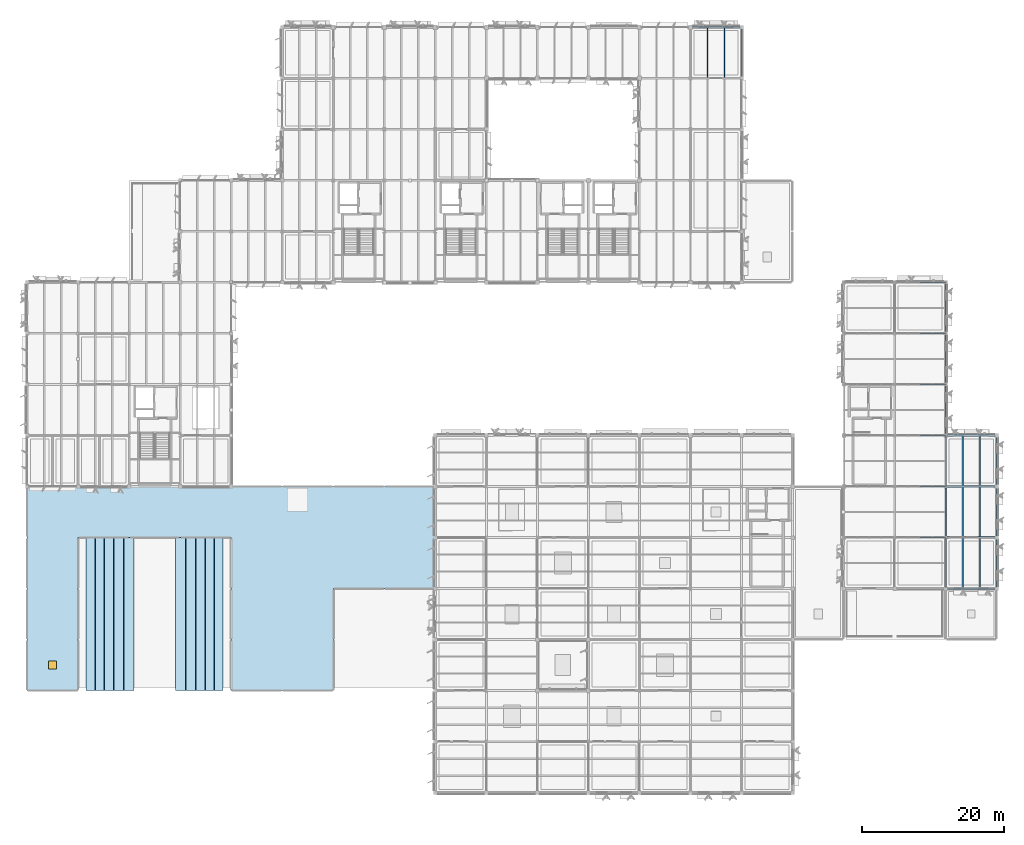
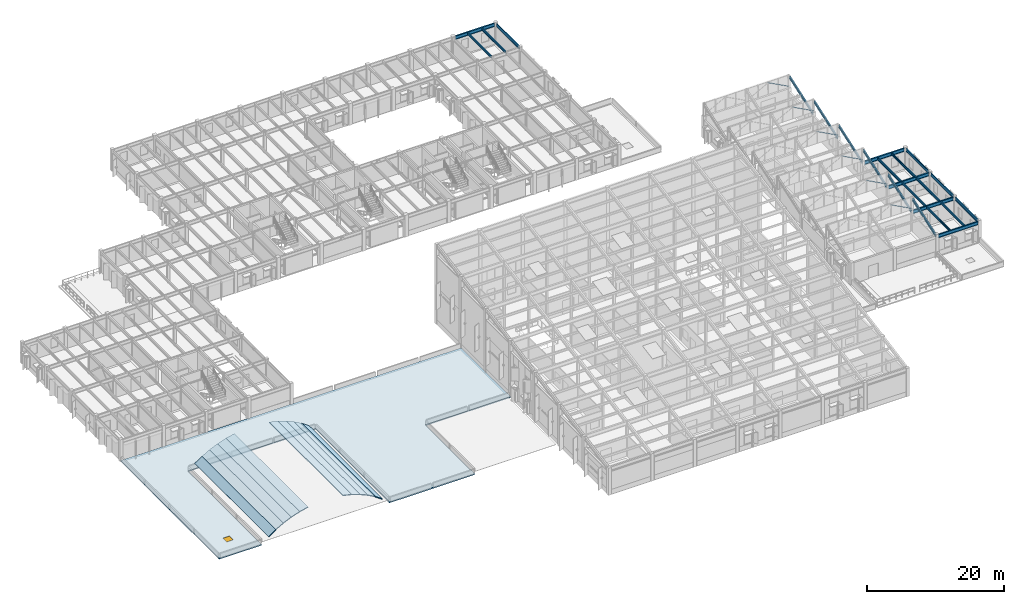
# One storey, part 21 of 82: 23 beams, 11 slabs, 6 members, 1 door, 1 opening.
"""IFC4 building model written with IfcOpenShell, lengths in metres."""

from ifc_helpers import new_model, si_unit, direction, frame, origin, origin_2d, place, context, subcontext, project, spatial, polyline, rectangle, hollow_circle, i_section, outline, extrude, material, layer, layer_set, material_profile, profile_set, type_object, element, fill, save


model = new_model("IFC4")

# Units and contexts
model_context = context("Model", 3, precision=1e-05, world=origin(), true_north=direction((0.0, 1.0)))
body_context = subcontext(model_context, "Body", "Model", "MODEL_VIEW")
ifc_project = project(units=[si_unit("LENGTHUNIT", "METRE"), si_unit("AREAUNIT", "SQUARE_METRE"), si_unit("VOLUMEUNIT", "CUBIC_METRE"), si_unit("PLANEANGLEUNIT", "RADIAN"), si_unit("MASSUNIT", "GRAM", prefix="KILO")], contexts=[model_context])

# Site, building, storey
site_placement = place(None, origin())
site = spatial("IfcSite", under=ifc_project, at=site_placement, CompositionType="ELEMENT")
building_placement = place(site_placement, origin())
building = spatial("IfcBuilding", under=site, at=building_placement, Name="Sillqori Civic Hall", CompositionType="ELEMENT")
storey_placement = place(building_placement, frame((0.0, 0.0, 14.10009765625)))
storey = spatial("IfcBuildingStorey", under=building, at=storey_placement, Name="L04", CompositionType="ELEMENT", Elevation=14.10009765625)

# Beams
ifc_material_1 = material(Name="Steel ASTM A992", Category="steel")
ifc_material_profile_1 = material_profile(ifc_material_1, i_section(OverallWidth=0.19091796875, OverallDepth=0.4599609375, WebThickness=0.010009765625, FlangeThickness=0.01611328125, FilletRadius=0.012939453125, at=origin_2d()), Name="W18X55")
ifc_profile_set_1 = profile_set([ifc_material_profile_1], Name="Steel ASTM A992")
beam_type_1 = type_object("IfcBeamType", Name="BM-W18X55", PredefinedType="BEAM", material=ifc_profile_set_1)
beam_1_placement = place(storey_placement, frame((136.800048828125, 36.14990234375, 3.409912109375), z_axis=(0.0, 0.944503108263, 0.328502478655), x_axis=(-1.0, 0.0, 0.0)))
element("IfcBeam", 1, at=beam_1_placement, inside=storey, type_object=beam_type_1, Name="Clerestory inclined rafter 19-5", PredefinedType="BEAM", context=body_context, shape_type="SweptSolid", body=[
    extrude(i_section(OverallWidth=0.19091796875, OverallDepth=0.4599609375, WebThickness=0.010009765625, FlangeThickness=0.01611328125, FilletRadius=0.012939453125, at=origin_2d()), origin(), (0.0, 0.0, 1.0), 7.3056640625),
])
for number, where, z_axis, x_axis, name in (
    (2, (136.800048828125, 43.35009765625, 3.409912109375), (0.0, 0.944499501787, 0.328512847731), (-1.0, 0.0, 0.0), "Clerestory inclined rafter 19-6"),
    (3, (136.800048828125, 50.550048828125, 3.409912109375), (0.0, 0.944499501787, 0.328512847731), (-1.0, 0.0, 0.0), "Clerestory inclined rafter 19-7"),
    (4, (136.800048828125, 57.75, 3.409912109375), (0.0, 0.944499501787, 0.328512847731), (-1.0, 0.0, 0.0), "Clerestory inclined rafter 19-8"),
):
    element("IfcBeam", number, at=place(storey_placement, frame(where, z_axis=z_axis, x_axis=x_axis)), inside=storey, type_object=beam_type_1, Name=name, PredefinedType="BEAM", context=body_context, shape_type="SweptSolid", body=[
        extrude(i_section(OverallWidth=0.19091796875, OverallDepth=0.4599609375, WebThickness=0.010009765625, FlangeThickness=0.01611328125, FilletRadius=0.012939453125, at=origin_2d()), origin(), (0.0, 0.0, 1.0), 7.305419921875),
    ])
for number, where, z_axis, x_axis, name in (
    (5, (136.800048828125, 64.949951171875, 3.409912109375), (0.0, 0.944503108263, 0.328502478655), (-1.0, 0.0, 0.0), "Clerestory inclined rafter 19-9"),
    (6, (136.800048828125, 72.14990234375, 3.409912109375), (0.0, 0.944503108263, 0.328502478655), (-1.0, 0.0, 0.0), "Clerestory inclined rafter 19-10"),
):
    element("IfcBeam", number, at=place(storey_placement, frame(where, z_axis=z_axis, x_axis=x_axis)), inside=storey, type_object=beam_type_1, Name=name, PredefinedType="BEAM", context=body_context, shape_type="SweptSolid", body=[
        extrude(i_section(OverallWidth=0.19091796875, OverallDepth=0.4599609375, WebThickness=0.010009765625, FlangeThickness=0.01611328125, FilletRadius=0.012939453125, at=origin_2d()), origin(), (0.0, 0.0, 1.0), 7.3056640625),
    ])
ifc_material_profile_2 = material_profile(ifc_material_1, i_section(OverallWidth=0.22802734375, OverallDepth=0.60205078125, WebThickness=0.010498046875, FlangeThickness=0.014892578125, FilletRadius=0.014892578125, at=origin_2d()), Name="W24X68")
ifc_profile_set_2 = profile_set([ifc_material_profile_2], Name="Steel ASTM A992")
beam_type_2 = type_object("IfcBeamType", Name="BM-W24X68", PredefinedType="BEAM", material=ifc_profile_set_2)
beam_2_placement = place(storey_placement, frame((101.093994140625, 115.199951171875, 3.39892578125), z_axis=(1.0, 0.0, 0.0), x_axis=(0.0, 1.0, 0.0)))
element("IfcBeam", 7, at=beam_2_placement, inside=storey, type_object=beam_type_2, Name="L04 girder X 14-16", PredefinedType="BEAM", context=body_context, shape_type="SweptSolid", body=[
    extrude(i_section(OverallWidth=0.22802734375, OverallDepth=0.60205078125, WebThickness=0.010498046875, FlangeThickness=0.014892578125, FilletRadius=0.014892578125, at=origin_2d()), origin(), (0.0, 0.0, 1.0), 6.662109375),
])
beam_3_placement = place(storey_placement, frame((137.0439453125, 36.0, 3.39892578125), z_axis=(1.0, 0.0, 0.0), x_axis=(0.0, 1.0, 0.0)))
element("IfcBeam", 8, at=beam_3_placement, inside=storey, type_object=beam_type_2, Name="L04 girder X 19-5", PredefinedType="BEAM", context=body_context, shape_type="SweptSolid", body=[
    extrude(i_section(OverallWidth=0.22802734375, OverallDepth=0.60205078125, WebThickness=0.010498046875, FlangeThickness=0.014892578125, FilletRadius=0.014892578125, at=origin_2d()), origin(), (0.0, 0.0, 1.0), 6.712158203125),
])
for number, where, z_axis, x_axis, name in (
    (9, (136.922607421875, 43.199951171875, 3.39892578125), (1.0, 0.0, 0.0), (0.0, 1.0, 0.0), "L04 girder X 19-6"),
    (10, (136.922607421875, 50.39990234375, 3.39892578125), (1.0, 0.0, 0.0), (0.0, 1.0, 0.0), "L04 girder X 19-7"),
):
    element("IfcBeam", number, at=place(storey_placement, frame(where, z_axis=z_axis, x_axis=x_axis)), inside=storey, type_object=beam_type_2, Name=name, PredefinedType="BEAM", context=body_context, shape_type="SweptSolid", body=[
        extrude(i_section(OverallWidth=0.22802734375, OverallDepth=0.60205078125, WebThickness=0.010498046875, FlangeThickness=0.014892578125, FilletRadius=0.014892578125, at=origin_2d()), origin(), (0.0, 0.0, 1.0), 6.83349609375),
    ])
beam_4_placement = place(storey_placement, frame((137.0439453125, 57.60009765625, 3.39892578125), z_axis=(1.0, 0.0, 0.0), x_axis=(0.0, 1.0, 0.0)))
element("IfcBeam", 11, at=beam_4_placement, inside=storey, type_object=beam_type_2, Name="L04 girder X 19-8", PredefinedType="BEAM", context=body_context, shape_type="SweptSolid", body=[
    extrude(i_section(OverallWidth=0.22802734375, OverallDepth=0.60205078125, WebThickness=0.010498046875, FlangeThickness=0.014892578125, FilletRadius=0.014892578125, at=origin_2d()), origin(), (0.0, 0.0, 1.0), 6.712158203125),
])
ifc_material_profile_3 = material_profile(ifc_material_1, i_section(OverallWidth=0.177978515625, OverallDepth=0.404052734375, WebThickness=0.007568359375, FlangeThickness=0.010986328125, FilletRadius=0.011962890625, at=origin_2d()), Name="W16X36")
ifc_profile_set_3 = profile_set([ifc_material_profile_3], Name="Steel ASTM A992")
beam_type_3 = type_object("IfcBeamType", Name="JS-W16X36", PredefinedType="JOIST", material=ifc_profile_set_3)
for number, where, z_axis, x_axis, name in (
    (12, (103.199951171875, 108.094970703125, 3.497802734375), (0.0, 1.0, 0.0), (-1.0, 0.0, 0.0), "L04 composite joist 14-15.1"),
    (13, (105.60009765625, 108.094970703125, 3.497802734375), (0.0, 1.0, 0.0), (-1.0, 0.0, 0.0), "L04 composite joist 14-15.2"),
    (14, (139.199951171875, 36.094970703125, 3.497802734375), (0.0, 1.0, 0.0), (-1.0, 0.0, 0.0), "L04 composite joist 19-5.1"),
    (15, (141.60009765625, 36.094970703125, 3.497802734375), (0.0, 1.0, 0.0), (-1.0, 0.0, 0.0), "L04 composite joist 19-5.2"),
    (16, (139.199951171875, 43.294921875, 3.497802734375), (0.0, 1.0, 0.0), (-1.0, 0.0, 0.0), "L04 composite joist 19-6.1"),
    (17, (141.60009765625, 43.294921875, 3.497802734375), (0.0, 1.0, 0.0), (-1.0, 0.0, 0.0), "L04 composite joist 19-6.2"),
):
    element("IfcBeam", number, at=place(storey_placement, frame(where, z_axis=z_axis, x_axis=x_axis)), inside=storey, type_object=beam_type_3, Name=name, PredefinedType="JOIST", context=body_context, shape_type="SweptSolid", body=[
        extrude(i_section(OverallWidth=0.177978515625, OverallDepth=0.404052734375, WebThickness=0.007568359375, FlangeThickness=0.010986328125, FilletRadius=0.011962890625, at=origin_2d()), origin(), (0.0, 0.0, 1.0), 7.010009765625),
    ])
for number, where, z_axis, x_axis, name in (
    (18, (139.199951171875, 50.4951171875, 3.497802734375), (0.0, 1.0, 0.0), (-1.0, 0.0, 0.0), "L04 composite joist 19-7.1"),
    (19, (141.60009765625, 50.4951171875, 3.497802734375), (0.0, 1.0, 0.0), (-1.0, 0.0, 0.0), "L04 composite joist 19-7.2"),
):
    element("IfcBeam", number, at=place(storey_placement, frame(where, z_axis=z_axis, x_axis=x_axis)), inside=storey, type_object=beam_type_3, Name=name, PredefinedType="JOIST", context=body_context, shape_type="SweptSolid", body=[
        extrude(i_section(OverallWidth=0.177978515625, OverallDepth=0.404052734375, WebThickness=0.007568359375, FlangeThickness=0.010986328125, FilletRadius=0.011962890625, at=origin_2d()), origin(), (0.0, 0.0, 1.0), 7.009765625),
    ])
ifc_material_profile_4 = material_profile(ifc_material_1, i_section(OverallWidth=0.166015625, OverallDepth=0.528076171875, WebThickness=0.009765625, FlangeThickness=0.013671875, FilletRadius=0.013916015625, at=origin_2d()), Name="W21X50")
ifc_profile_set_4 = profile_set([ifc_material_profile_4], Name="Steel ASTM A992")
beam_type_4 = type_object("IfcBeamType", Name="SP-W21X50", PredefinedType="SPANDREL", material=ifc_profile_set_4)
for number, where, z_axis, x_axis, name in (
    (20, (108.0, 108.243896484375, 3.435791015625), (0.0, 1.0, 0.0), (-1.0, 0.0, 0.0), "L04 girder Y 15-15"),
    (21, (144.0, 36.243896484375, 3.435791015625), (0.0, 1.0, 0.0), (-1.0, 0.0, 0.0), "L04 girder Y 20-5"),
):
    element("IfcBeam", number, at=place(storey_placement, frame(where, z_axis=z_axis, x_axis=x_axis)), inside=storey, type_object=beam_type_4, Name=name, PredefinedType="SPANDREL", context=body_context, shape_type="SweptSolid", body=[
        extrude(i_section(OverallWidth=0.166015625, OverallDepth=0.528076171875, WebThickness=0.009765625, FlangeThickness=0.013671875, FilletRadius=0.013916015625, at=origin_2d()), origin(), (0.0, 0.0, 1.0), 6.712158203125),
    ])
for number, where, z_axis, x_axis, name in (
    (22, (144.0, 43.444091796875, 3.435791015625), (0.0, 1.0, 0.0), (-1.0, 0.0, 0.0), "L04 girder Y 20-6"),
    (23, (144.0, 50.64404296875, 3.435791015625), (0.0, 1.0, 0.0), (-1.0, 0.0, 0.0), "L04 girder Y 20-7"),
):
    element("IfcBeam", number, at=place(storey_placement, frame(where, z_axis=z_axis, x_axis=x_axis)), inside=storey, type_object=beam_type_4, Name=name, PredefinedType="SPANDREL", context=body_context, shape_type="SweptSolid", body=[
        extrude(i_section(OverallWidth=0.166015625, OverallDepth=0.528076171875, WebThickness=0.009765625, FlangeThickness=0.013671875, FilletRadius=0.013916015625, at=origin_2d()), origin(), (0.0, 0.0, 1.0), 6.7119140625),
    ])

# Members
ifc_material_2 = material(Name="Steel ASTM A500 Grade C", Category="steel")
ifc_material_profile_5 = material_profile(ifc_material_2, hollow_circle(Radius=0.084228515625, WallThickness=0.010009765625, at=origin_2d()), Name="CHS168X10")
ifc_profile_set_5 = profile_set([ifc_material_profile_5], Name="Steel ASTM A500 Grade C")
member_type = type_object("IfcMemberType", Name="ST-CHS168", PredefinedType="STRUT", material=ifc_profile_set_5)
for number, where, z_axis, x_axis, name in (
    (24, (136.800048828125, 43.199951171875, 4.0498046875), (-0.882341346394, 0.0, 0.470609974867), (0.0, -1.0, 0.0), "Clerestory truss diagonal strut R 18-5"),
    (25, (136.800048828125, 50.39990234375, 4.0498046875), (-0.882341346394, 0.0, 0.470609974867), (0.0, -1.0, 0.0), "Clerestory truss diagonal strut R 18-6"),
    (26, (136.800048828125, 57.60009765625, 4.0498046875), (-0.882341346394, 0.0, 0.470609974867), (0.0, -1.0, 0.0), "Clerestory truss diagonal strut R 18-7"),
    (27, (136.800048828125, 64.800048828125, 4.0498046875), (-0.882341346394, 0.0, 0.470609974867), (0.0, -1.0, 0.0), "Clerestory truss diagonal strut R 18-8"),
    (28, (136.800048828125, 72.0, 4.0498046875), (-0.882341346394, 0.0, 0.470609974867), (0.0, -1.0, 0.0), "Clerestory truss diagonal strut R 18-9"),
    (29, (136.800048828125, 79.199951171875, 4.0498046875), (-0.882341346394, 0.0, 0.470609974867), (0.0, -1.0, 0.0), "Clerestory truss diagonal strut R 18-10"),
):
    element("IfcMember", number, at=place(storey_placement, frame(where, z_axis=z_axis, x_axis=x_axis)), inside=storey, type_object=member_type, Name=name, PredefinedType="STRUT", context=body_context, shape_type="SweptSolid", body=[
        extrude(hollow_circle(Radius=0.084228515625, WallThickness=0.010009765625, at=origin_2d()), origin(), (0.0, 0.0, 1.0), 4.080078125),
    ])

# Slab, opening, door
ifc_material_3 = material(Name="Concrete C30/37 (H30)", Category="concrete")
ifc_layer_1 = layer(ifc_material_3, 0.199951171875)
ifc_layer_set_1 = layer_set([ifc_layer_1], Name="Concrete C30/37 (H30)")
slab_type_1 = type_object("IfcSlabType", Name="SLB-ROOF-200", PredefinedType="ROOF", material=ifc_layer_set_1)
slab_1_placement = place(storey_placement, frame((0.0, 0.0, -0.2001953125)))
slab_1 = element("IfcSlab", 30, at=slab_1_placement, inside=storey, type_object=slab_type_1, Name="L04 flat structural roof over L03 1", PredefinedType="ROOF", context=body_context, shape_type="SweptSolid", body=[
    extrude(outline(polyline([(7.199951171875, 36.0), (7.199951171875, 43.199951171875), (7.199951171875, 50.39990234375), (14.39990234375, 50.39990234375), (21.60009765625, 50.39990234375), (28.800048828125, 50.39990234375), (36.0, 50.39990234375), (43.199951171875, 50.39990234375), (50.39990234375, 50.39990234375), (57.60009765625, 50.39990234375), (64.800048828125, 50.39990234375), (64.800048828125, 43.199951171875), (64.800048828125, 36.0), (57.60009765625, 36.0), (50.39990234375, 36.0), (50.39990234375, 28.800048828125), (50.39990234375, 21.60009765625), (43.199951171875, 21.60009765625), (36.0, 21.60009765625), (36.0, 28.800048828125), (36.0, 36.0), (36.0, 43.199951171875), (28.800048828125, 43.199951171875), (21.60009765625, 43.199951171875), (14.39990234375, 43.199951171875), (14.39990234375, 36.0), (14.39990234375, 28.800048828125), (14.39990234375, 21.60009765625), (7.199951171875, 21.60009765625), (7.199951171875, 28.800048828125), (7.199951171875, 36.0)]), holes=[polyline([(10.25, 24.64990234375), (10.25, 25.75), (11.35009765625, 25.75), (11.35009765625, 24.64990234375), (10.25, 24.64990234375)])]), origin(), (0.0, 0.0, 1.0), 0.2001953125),
])
opening_placement = place(slab_1_placement, frame((10.800048828125, 25.199951171875, 0.0)))
opening = element("IfcOpeningElement", 31, at=opening_placement, cuts=slab_1, Name="Opening TH-01", PredefinedType="OPENING", context=body_context, shape_type="SweptSolid", body=[
    extrude(rectangle(XDim=1.10009765625, YDim=1.10009765625, at=origin_2d()), frame((0.0, 0.0, -0.010009765625)), (0.0, 0.0, 1.0), 0.22021484375),
])
ifc_material_4 = material(Name="Galvanized Insulated Steel", Category="steel")
door_type = type_object("IfcDoorType", Name="TRP-ROOF-110X110", OperationType="NOTDEFINED", PredefinedType="TRAPDOOR", material=ifc_material_4)
door_placement = place(opening_placement, frame((0.0, 0.0, 0.150146484375)))
door = element("IfcDoor", 32, at=door_placement, inside=storey, type_object=door_type, Name="L04 maintenance roof access hatch 11", OperationType="SINGLE_SWING_LEFT", OverallHeight=1.10009765625, OverallWidth=1.10009765625, PredefinedType="TRAPDOOR", context=body_context, shape_type="SweptSolid", body=[
    extrude(rectangle(XDim=1.10009765625, YDim=1.10009765625, at=origin_2d()), origin(), (0.0, 0.0, 1.0), 0.050048828125),
])
fill(opening, door)

# Slabs
ifc_material_5 = material(Name="Concrete C35/45 (H35)", Category="concrete")
ifc_layer_2 = layer(ifc_material_5, 0.139892578125)
ifc_layer_set_2 = layer_set([ifc_layer_2], Name="Concrete C35/45 (H35)")
slab_type_2 = type_object("IfcSlabType", Name="SLB-VAULT-140", PredefinedType="ROOF", material=ifc_layer_set_2)
slab_2_placement = place(storey_placement, frame((15.53759765625, 21.60009765625, 0.94921875), z_axis=(-0.566808505754, 0.0, 0.823849572316), x_axis=(0.823849572316, 0.0, 0.566808505754)))
element("IfcSlab", 33, at=slab_2_placement, inside=storey, type_object=slab_type_2, Name="Council Chamber barrel-vault shell chord 02", PredefinedType="ROOF", context=body_context, shape_type="SweptSolid", body=[
    extrude(outline(polyline([(0.0, 0.0), (1.48170632846014, 0.0), (1.48170632846014, 21.599853515625), (0.0, 21.599853515625), (0.0, 0.0)])), origin(), (0.0, 0.0, -1.0), 0.139892578125),
])
slab_3_placement = place(storey_placement, frame((16.75830078125, 21.60009765625, 1.7890625), z_axis=(-0.488186895365, 0.0, 0.872739110613), x_axis=(0.872739110613, 0.0, 0.488186895365)))
element("IfcSlab", 34, at=slab_3_placement, inside=storey, type_object=slab_type_2, Name="Council Chamber barrel-vault shell chord 03", PredefinedType="ROOF", context=body_context, shape_type="SweptSolid", body=[
    extrude(outline(polyline([(0.0, 0.0), (1.4817863378624279, 0.0), (1.4817863378624279, 21.599853515625), (0.0, 21.599853515625), (0.0, 0.0)])), origin(), (0.0, 0.0, -1.0), 0.139892578125),
])
slab_4_placement = place(storey_placement, frame((18.051513671875, 21.60009765625, 2.512451171875), z_axis=(-0.405343321686, 0.0, 0.914164531999), x_axis=(0.914164531999, 0.0, 0.405343321686)))
element("IfcSlab", 35, at=slab_4_placement, inside=storey, type_object=slab_type_2, Name="Council Chamber barrel-vault shell chord 04", PredefinedType="ROOF", context=body_context, shape_type="SweptSolid", body=[
    extrude(outline(polyline([(0.0, 0.0), (1.4816722155461002, 0.0), (1.4816722155461002, 21.599853515625), (0.0, 21.599853515625), (0.0, 0.0)])), origin(), (0.0, 0.0, -1.0), 0.139892578125),
])
slab_5_placement = place(storey_placement, frame((19.406005859375, 21.60009765625, 3.113037109375), z_axis=(-0.318846539397, 0.0, 0.947806353806), x_axis=(0.947806353806, 0.0, 0.318846539397)))
element("IfcSlab", 36, at=slab_5_placement, inside=storey, type_object=slab_type_2, Name="Council Chamber barrel-vault shell chord 05", PredefinedType="ROOF", context=body_context, shape_type="SweptSolid", body=[
    extrude(outline(polyline([(0.0, 0.0), (1.48162846699802, 0.0), (1.48162846699802, 21.599853515625004), (0.0, 21.599853515625004), (0.0, 0.0)])), origin(), (0.0, 0.0, -1.0), 0.139892578125),
])
for number, where, z_axis, x_axis, name in (
    (37, (20.810302734375, 21.60009765625, 3.58544921875), (-0.22968213662, 0.0, 0.973265696569), (0.973265696569, 0.0, 0.22968213662), "Council Chamber barrel-vault shell chord 06"),
    (38, (28.1474609375, 21.60009765625, 3.92578125), (0.22968213662, 0.0, 0.973265696569), (0.973265696569, 0.0, -0.22968213662), "Council Chamber barrel-vault shell chord 11"),
):
    element("IfcSlab", number, at=place(storey_placement, frame(where, z_axis=z_axis, x_axis=x_axis)), inside=storey, type_object=slab_type_2, Name=name, PredefinedType="ROOF", context=body_context, shape_type="SweptSolid", body=[
        extrude(outline(polyline([(0.0, 0.0), (1.4817522871290398, 0.0), (1.4817522871290398, 21.599853515625), (0.0, 21.599853515625), (0.0, 0.0)])), origin(), (0.0, 0.0, -1.0), 0.139892578125),
    ])
slab_6_placement = place(storey_placement, frame((29.589599609375, 21.60009765625, 3.58544921875), z_axis=(0.318846539397, 0.0, 0.947806353806), x_axis=(0.947806353806, 0.0, -0.318846539397)))
element("IfcSlab", 39, at=slab_6_placement, inside=storey, type_object=slab_type_2, Name="Council Chamber barrel-vault shell chord 12", PredefinedType="ROOF", context=body_context, shape_type="SweptSolid", body=[
    extrude(outline(polyline([(0.0, 0.0), (1.48162846699802, 0.0), (1.48162846699802, 21.599853515625004), (0.0, 21.599853515625004), (0.0, 0.0)])), origin(), (0.0, 0.0, -1.0), 0.139892578125),
])
slab_7_placement = place(storey_placement, frame((30.993896484375, 21.60009765625, 3.113037109375), z_axis=(0.405282273001, 0.0, 0.914191598732), x_axis=(0.914191598732, 0.0, -0.405282273001)))
element("IfcSlab", 40, at=slab_7_placement, inside=storey, type_object=slab_type_2, Name="Council Chamber barrel-vault shell chord 13", PredefinedType="ROOF", context=body_context, shape_type="SweptSolid", body=[
    extrude(outline(polyline([(0.0, 0.0), (1.4818954035505885, 0.0), (1.4818954035505885, 21.599853515625), (0.0, 21.599853515625), (0.0, 0.0)])), origin(), (0.0, 0.0, -1.0), 0.139892578125),
])
slab_8_placement = place(storey_placement, frame((32.3486328125, 21.60009765625, 2.512451171875), z_axis=(0.488257101926, 0.0, 0.872699835235), x_axis=(0.872699835235, 0.0, -0.488257101926)))
element("IfcSlab", 41, at=slab_8_placement, inside=storey, type_object=slab_type_2, Name="Council Chamber barrel-vault shell chord 14", PredefinedType="ROOF", context=body_context, shape_type="SweptSolid", body=[
    extrude(outline(polyline([(0.0, 0.0), (1.4815732715845136, 0.0), (1.4815732715845136, 21.599853515625), (0.0, 21.599853515625), (0.0, 0.0)])), origin(), (0.0, 0.0, -1.0), 0.139892578125),
])
slab_9_placement = place(storey_placement, frame((33.6416015625, 21.60009765625, 1.7890625), z_axis=(0.566808505754, 0.0, 0.823849572316), x_axis=(0.823849572316, 0.0, -0.566808505754)))
element("IfcSlab", 42, at=slab_9_placement, inside=storey, type_object=slab_type_2, Name="Council Chamber barrel-vault shell chord 15", PredefinedType="ROOF", context=body_context, shape_type="SweptSolid", body=[
    extrude(outline(polyline([(0.0, 0.0), (1.48170632846014, 0.0), (1.48170632846014, 21.599853515625), (0.0, 21.599853515625), (0.0, 0.0)])), origin(), (0.0, 0.0, -1.0), 0.139892578125),
])

save(model, "model.ifc")
